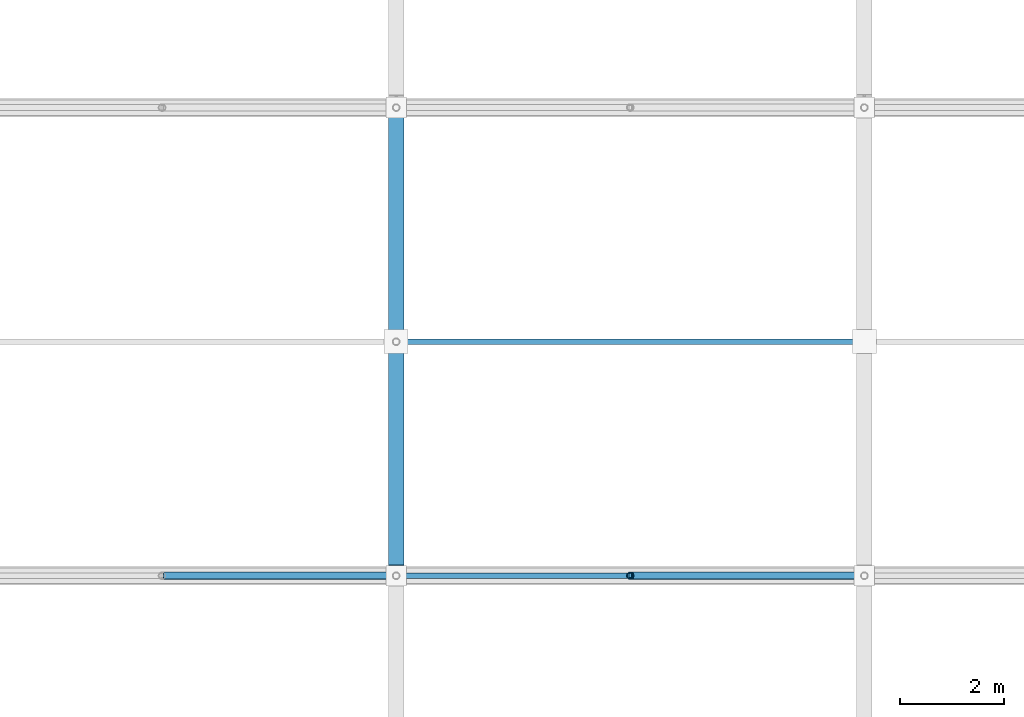
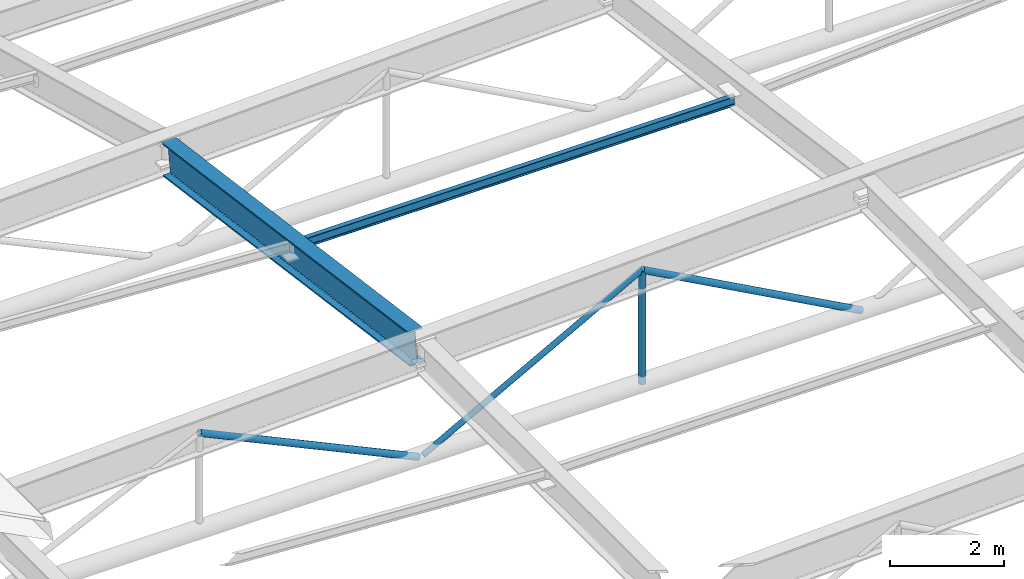
# One storey, part 38 of 80: 5 members, 1 beam.
"""IFC4 building model written with IfcOpenShell, lengths in metres."""

from ifc_helpers import new_model, si_unit, direction, frame, origin, origin_2d, place, context, subcontext, project, spatial, hollow_circle, i_section, extrude, material, material_profile, profile_set, type_object, element, save


model = new_model("IFC4")

# Units and contexts
model_context = context("Model", 3, precision=1e-05, world=origin(), true_north=direction((0.0, 1.0)))
body_context = subcontext(model_context, "Body", "Model", "MODEL_VIEW")
ifc_project = project(units=[si_unit("LENGTHUNIT", "METRE"), si_unit("AREAUNIT", "SQUARE_METRE"), si_unit("VOLUMEUNIT", "CUBIC_METRE"), si_unit("PLANEANGLEUNIT", "RADIAN"), si_unit("MASSUNIT", "GRAM", prefix="KILO")], contexts=[model_context])

# Site, building, storey
site_placement = place(None, origin())
site = spatial("IfcSite", under=ifc_project, at=site_placement, CompositionType="ELEMENT")
building_placement = place(site_placement, origin())
building = spatial("IfcBuilding", under=site, at=building_placement, Name="Barlavento Convention Centre", CompositionType="ELEMENT")
storey_placement = place(building_placement, frame((0.0, 0.0, 29.800048828125)))
storey = spatial("IfcBuildingStorey", under=building, at=storey_placement, Name="RF", CompositionType="ELEMENT", Elevation=29.800048828125)

# Beam
ifc_material_1 = material(Name="Steel S460", Category="steel")
ifc_material_profile_1 = material_profile(ifc_material_1, i_section(OverallWidth=0.300048828125, OverallDepth=0.699951171875, WebThickness=0.01708984375, FlangeThickness=0.031982421875, FilletRadius=0.027099609375, at=origin_2d()), Name="HEB 700")
ifc_profile_set_1 = profile_set([ifc_material_profile_1], Name="Steel S460")
beam_type = type_object("IfcBeamType", Name="STR-BM-TRUSS-TOP-HEB700", PredefinedType="BEAM", material=ifc_profile_set_1)
beam_placement = place(storey_placement, frame((27.0, 27.155029296875, -0.903076171875), z_axis=(0.0, 0.990817967825, -0.135202642853), x_axis=(-1.0, 0.0, 0.0)))
element("IfcBeam", 1, at=beam_placement, inside=storey, type_object=beam_type, Name="Congress roof truss space frame chord", PredefinedType="BEAM", context=body_context, shape_type="SweptSolid", body=[
    extrude(i_section(OverallWidth=0.300048828125, OverallDepth=0.699951171875, WebThickness=0.01708984375, FlangeThickness=0.031982421875, FilletRadius=0.027099609375, at=origin_2d()), origin(), (0.0, 0.0, 1.0), 8.7705078125),
])

# Members
ifc_material_2 = material(Name="Steel S355", Category="steel")
ifc_material_profile_2 = material_profile(ifc_material_2, hollow_circle(Radius=0.05712890625, WallThickness=0.00634765625, at=origin_2d()), Name="CHS 114.3x6.3")
ifc_profile_set_2 = profile_set([ifc_material_profile_2], Name="Steel S355")
member_type_1 = type_object("IfcMemberType", Name="STR-MEM-DIAG-CHS114", PredefinedType="BRACE", material=ifc_profile_set_2)
member_1_placement = place(storey_placement, frame((27.050048828125, 27.0, -3.15625), z_axis=(0.877693065925, 0.0, 0.479223206896), x_axis=(0.0, 1.0, 0.0)))
element("IfcMember", 2, at=member_1_placement, inside=storey, type_object=member_type_1, Name="Plenary hall roof truss web member", PredefinedType="BRACE", context=body_context, shape_type="SweptSolid", body=[
    extrude(hollow_circle(Radius=0.05712890625, WallThickness=0.00634765625, at=origin_2d()), origin(), (0.0, 0.0, 1.0), 5.070068359375),
])
ifc_material_profile_3 = material_profile(ifc_material_2, hollow_circle(Radius=0.06982421875, WallThickness=0.008056640625, at=origin_2d()), Name="CHS 139.7x8.0")
ifc_profile_set_3 = profile_set([ifc_material_profile_3], Name="Steel S355")
member_type_2 = type_object("IfcMemberType", Name="STR-MEM-DIAG-CHS139", PredefinedType="BRACE", material=ifc_profile_set_3)
member_2_placement = place(storey_placement, frame((22.5, 27.0, -1.079833984375), z_axis=(0.906200921367, 0.0, -0.422847360302), x_axis=(0.0, 1.0, 0.0)))
element("IfcMember", 3, at=member_2_placement, inside=storey, type_object=member_type_2, Name="Plenary hall roof truss web member", PredefinedType="BRACE", context=body_context, shape_type="SweptSolid", body=[
    extrude(hollow_circle(Radius=0.06982421875, WallThickness=0.008056640625, at=origin_2d()), origin(), (0.0, 0.0, 1.0), 4.91064453125),
])
member_3_placement = place(storey_placement, frame((31.5, 27.0, -3.15625), z_axis=(0.0, 0.0, 1.0), x_axis=(1.0, 0.0, 0.0)))
element("IfcMember", 4, at=member_3_placement, inside=storey, type_object=member_type_2, Name="Plenary hall roof truss web member", PredefinedType="BRACE", context=body_context, shape_type="SweptSolid", body=[
    extrude(hollow_circle(Radius=0.06982421875, WallThickness=0.008056640625, at=origin_2d()), origin(), (0.0, 0.0, 1.0), 2.4296875),
])
member_4_placement = place(storey_placement, frame((31.5, 27.0, -0.7265625), z_axis=(0.877693065925, 0.0, -0.479223206896), x_axis=(0.0, 1.0, 0.0)))
element("IfcMember", 5, at=member_4_placement, inside=storey, type_object=member_type_2, Name="Plenary hall roof truss web member", PredefinedType="BRACE", context=body_context, shape_type="SweptSolid", body=[
    extrude(hollow_circle(Radius=0.06982421875, WallThickness=0.008056640625, at=origin_2d()), origin(), (0.0, 0.0, 1.0), 5.070068359375),
])
ifc_material_profile_4 = material_profile(ifc_material_2, i_section(OverallWidth=0.10009765625, OverallDepth=0.199951171875, WebThickness=0.005615234375, FlangeThickness=0.008544921875, FilletRadius=0.011962890625, at=origin_2d()), Name="IPE 200")
ifc_profile_set_4 = profile_set([ifc_material_profile_4], Name="Steel S355")
member_type_3 = type_object("IfcMemberType", Name="STR-MEM-PUR-IPE200", PredefinedType="PURLIN", material=ifc_profile_set_4)
member_5_placement = place(storey_placement, frame((27.02001953125, 31.5, -1.367431640625), z_axis=(0.999999990719, 0.0, -0.000136239781), x_axis=(0.0, 1.0, 0.0)))
element("IfcMember", 6, at=member_5_placement, inside=storey, type_object=member_type_3, Name="Congress roof intermediate purlin PR01", PredefinedType="PURLIN", context=body_context, shape_type="SweptSolid", body=[
    extrude(i_section(OverallWidth=0.10009765625, OverallDepth=0.199951171875, WebThickness=0.005615234375, FlangeThickness=0.008544921875, FilletRadius=0.011962890625, at=origin_2d()), origin(), (0.0, 0.0, 1.0), 8.9599609375),
])

save(model, "model.ifc")
